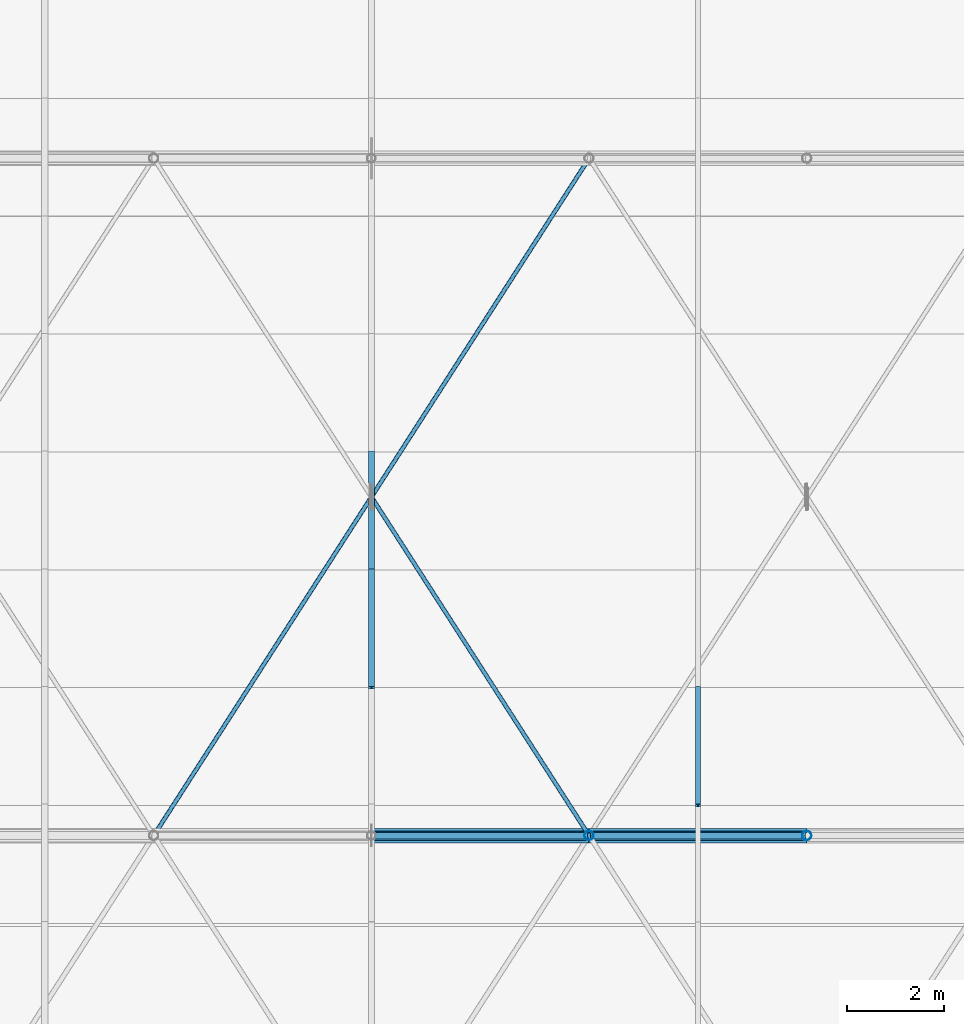
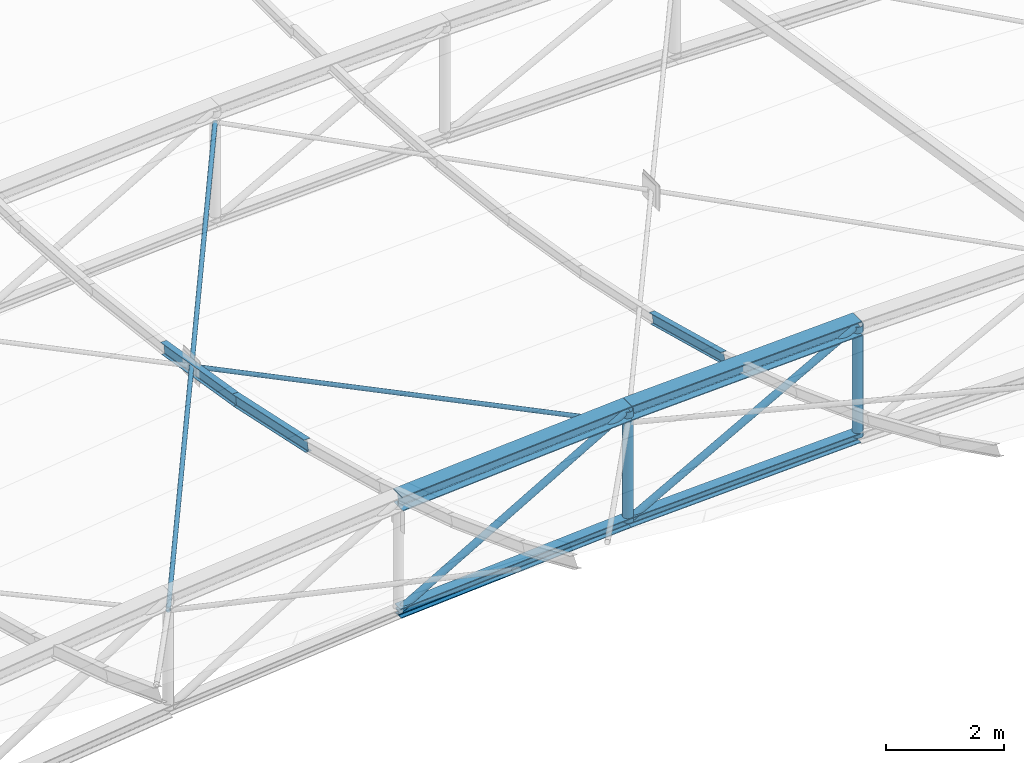
# One storey, part 144 of 262: 13 members.
"""IFC4 building model written with IfcOpenShell, lengths in metres."""

import ifcopenshell
import ifcopenshell.guid

model = None  # the IFC model being written
_history = None  # IfcOwnerHistory: only IFC2X3 demands one
_inside = {}  # id of a spatial element -> (the spatial element, [elements in it])
_under = {}  # id of a project, library or spatial element -> (it, [spatial elements below it])
_declared = {}  # id of a project -> (the project, [libraries it declares])
_typed = {}  # id of a type object -> (the type object, [elements of that type])
_made_of = {}  # id of a material, layer set ... -> (it, [elements and type objects made of it])


def new_model(schema):
    """Start an empty IFC model of exactly this schema.

    Asked for "IFC4X3", IfcOpenShell would pick the latest addendum, in which some entities
    have other attributes; the version numbers below select the first issue.
    IFC2X3 requires an IfcOwnerHistory on every rooted entity: one is made here for all.
    """
    global model, _history
    if schema == "IFC4X3":
        model = ifcopenshell.file(schema_version=(4, 3, 0, 0))
    else:
        model = ifcopenshell.file(schema=schema)
    _inside.clear()
    _under.clear()
    _declared.clear()
    _typed.clear()
    _made_of.clear()
    _history = None
    if model.schema == "IFC2X3":
        org = make("IfcOrganization", Name="unknown")
        user = make(
            "IfcPersonAndOrganization",
            ThePerson=make("IfcPerson", FamilyName="unknown"),
            TheOrganization=org,
        )
        app = make(
            "IfcApplication",
            ApplicationDeveloper=org,
            Version="unknown",
            ApplicationFullName="unknown",
            ApplicationIdentifier="unknown",
        )
        _history = make(
            "IfcOwnerHistory",
            OwningUser=user,
            OwningApplication=app,
            ChangeAction="ADDED",
            CreationDate=0,
        )
    return model


def make(cls, **values):
    """One entity of the class cls with the attributes given. An attribute that is None is left unset."""
    return model.create_entity(
        cls, **{name: value for name, value in values.items() if value is not None}
    )


def rooted(cls, **values):
    """An entity with a GlobalId (a new one), such as an element, a storey or a relation."""
    return make(cls, GlobalId=ifcopenshell.guid.new(), OwnerHistory=_history, **values)


def si_unit(unit_type, name, prefix=None):
    """IfcSIUnit, for example si_unit("LENGTHUNIT", "METRE", prefix="MILLI")."""
    return make("IfcSIUnit", UnitType=unit_type, Prefix=prefix, Name=name)


def derived_unit(unit_type, elements):
    """IfcDerivedUnit: a product of units, each with its exponent."""
    return make(
        "IfcDerivedUnit",
        Elements=[
            make("IfcDerivedUnitElement", Unit=unit, Exponent=power)
            for unit, power in elements
        ],
        UnitType=unit_type,
    )


def assignment(units):
    """IfcUnitAssignment: the units of a project."""
    return None if units is None else make("IfcUnitAssignment", Units=units)


def point(xyz):
    """IfcCartesianPoint."""
    return None if xyz is None else make("IfcCartesianPoint", Coordinates=xyz)


def direction(xyz):
    """IfcDirection."""
    return None if xyz is None else make("IfcDirection", DirectionRatios=xyz)


def frame(location, z_axis=None, x_axis=None):
    """IfcAxis2Placement3D, a coordinate frame: its origin and axes. An axis left out is left unset."""
    return make(
        "IfcAxis2Placement3D",
        Location=point(location),
        Axis=direction(z_axis),
        RefDirection=direction(x_axis),
    )


def frame_2d(location, x_axis=None):
    """IfcAxis2Placement2D, a coordinate frame in the plane: its origin and x axis."""
    return make(
        "IfcAxis2Placement2D", Location=point(location), RefDirection=direction(x_axis)
    )


def origin():
    """The frame at (0, 0, 0) with its axes left unset."""
    return frame((0.0, 0.0, 0.0))


def origin_2d():
    """The frame at (0, 0) in the plane with its x axis left unset."""
    return frame_2d((0.0, 0.0))


def place(relative_to, where):
    """IfcLocalPlacement: puts the frame where relative to a parent placement (None: the world)."""
    return make(
        "IfcLocalPlacement", PlacementRelTo=relative_to, RelativePlacement=where
    )


def context(
    kind, dimensions, precision=None, world=None, true_north=None, identifier=None
):
    """IfcGeometricRepresentationContext, for example the 3D "Model" context."""
    return make(
        "IfcGeometricRepresentationContext",
        ContextIdentifier=identifier,
        ContextType=kind,
        CoordinateSpaceDimension=dimensions,
        Precision=precision,
        WorldCoordinateSystem=world,
        TrueNorth=true_north,
    )


def subcontext(parent, identifier, kind, view, scale=None):
    """IfcGeometricRepresentationSubContext, for example "Body" below "Model"."""
    return make(
        "IfcGeometricRepresentationSubContext",
        ContextIdentifier=identifier,
        ContextType=kind,
        ParentContext=parent,
        TargetScale=scale,
        TargetView=view,
    )


def project(units=None, contexts=None):
    """IfcProject with its units and contexts."""
    return rooted(
        "IfcProject",
        Name="project",
        RepresentationContexts=contexts,
        UnitsInContext=assignment(units),
    )


def spatial(cls, under=None, at=None, **own):
    """A site, building, storey or space (cls), placed at a placement, below another one or the project."""
    s = rooted(cls, ObjectPlacement=at, **own)
    if under is not None:
        _under.setdefault(under.id(), (under, []))[1].append(s)
    return s


def profile(cls, at=None, kind="AREA", **sizes):
    """A parametric profile (cls). Its sizes go by their IFC names, for example OverallWidth=200.0."""
    return make(cls, ProfileType=kind, Position=at, **sizes)


def hollow_circle(**sizes):
    """IfcCircleHollowProfileDef."""
    return profile("IfcCircleHollowProfileDef", **sizes)


def i_section(**sizes):
    """IfcIShapeProfileDef."""
    return profile("IfcIShapeProfileDef", **sizes)


def extrude(swept, where, along, depth):
    """IfcExtrudedAreaSolid: the profile swept, set in the frame where, extruded along a direction by depth."""
    return make(
        "IfcExtrudedAreaSolid",
        SweptArea=swept,
        Position=where,
        ExtrudedDirection=direction(along),
        Depth=depth,
    )


def shape(context_of_items, identifier, shape_type, items):
    """IfcShapeRepresentation: the items that make up one representation, for example the "Body"."""
    return make(
        "IfcShapeRepresentation",
        ContextOfItems=context_of_items,
        RepresentationIdentifier=identifier,
        RepresentationType=shape_type,
        Items=items,
    )


def material(Name=None, Category=None):
    """IfcMaterial."""
    return make("IfcMaterial", Name=Name, Category=Category)


def material_profile(
    of_material, cross_section, Name=None, Category=None, Priority=None
):
    """IfcMaterialProfile: a cross section and its material."""
    return make(
        "IfcMaterialProfile",
        Name=Name,
        Material=of_material,
        Profile=cross_section,
        Priority=Priority,
        Category=Category,
    )


def profile_set(profiles, Name=None, composite=None):
    """IfcMaterialProfileSet."""
    return make(
        "IfcMaterialProfileSet",
        Name=Name,
        MaterialProfiles=profiles,
        CompositeProfile=composite,
    )


def made_of(thing, what):
    """Note that an element or type object is made of a material, layer set ...; save() writes the relation."""
    if what is not None:
        _made_of.setdefault(what.id(), (what, []))[1].append(thing)
    return thing


def type_object(cls, material=None, **own):
    """A type object (cls), such as IfcWallType, which elements share."""
    return made_of(rooted(cls, **own), material)


def element(
    cls,
    number,
    at=None,
    inside=None,
    cuts=None,
    type_object=None,
    material=None,
    context=None,
    identifier="Body",
    shape_type=None,
    held_by="IfcProductDefinitionShape",
    body=None,
    shapes=None,
    **own,
):
    """One element of the class cls, such as IfcWall. Its Tag is "e" and its number.

    at: its placement. inside: the storey or other place that contains it. cuts: it is an
    opening in that element (IfcRelVoidsElement). A single representation is given by context,
    identifier, shape_type and body (its items); several are given by shapes. held_by: the class
    of the entity that holds the representations. save() writes the other relations.
    """
    e = rooted(cls, Tag="e%d" % number, ObjectPlacement=at, **own)
    if body is not None:
        shapes = [shape(context, identifier, shape_type, body)]
    if shapes is not None:
        e.Representation = make(held_by, Representations=shapes)
    if inside is not None:
        _inside.setdefault(inside.id(), (inside, []))[1].append(e)
    if cuts is not None:
        rooted(
            "IfcRelVoidsElement", RelatingBuildingElement=cuts, RelatedOpeningElement=e
        )
    if type_object is not None:
        _typed.setdefault(type_object.id(), (type_object, []))[1].append(e)
    return made_of(e, material)


def aggregate(whole, parts):
    """IfcRelAggregates: a whole, such as a stair, and the parts it consists of."""
    return rooted("IfcRelAggregates", RelatingObject=whole, RelatedObjects=parts)


def save(model, path):
    """Write the relations noted so far, then the file.

    IfcRelAggregates (storeys below a building ...), IfcRelContainedInSpatialStructure (elements
    in a storey), IfcRelDefinesByType, IfcRelAssociatesMaterial and IfcRelDeclares: one each for
    every whole, place, type object, material and project.
    """
    for whole, parts in _under.values():
        aggregate(whole, parts)
    for where, things in _inside.values():
        rooted(
            "IfcRelContainedInSpatialStructure",
            RelatedElements=things,
            RelatingStructure=where,
        )
    for kind, things in _typed.values():
        rooted("IfcRelDefinesByType", RelatedObjects=things, RelatingType=kind)
    for what, things in _made_of.values():
        rooted("IfcRelAssociatesMaterial", RelatedObjects=things, RelatingMaterial=what)
    for by, libraries in _declared.values():
        rooted("IfcRelDeclares", RelatingContext=by, RelatedDefinitions=libraries)
    model.write(path)


model = new_model("IFC4")

# Units and contexts
model_context = context("Model", 3, precision=1e-05, world=origin(), true_north=direction((0.0, 1.0)))
body_context = subcontext(model_context, "Body", "Model", "MODEL_VIEW")
ifc_project = project(units=[si_unit("LENGTHUNIT", "METRE"), si_unit("AREAUNIT", "SQUARE_METRE"), si_unit("VOLUMEUNIT", "CUBIC_METRE"), si_unit("PLANEANGLEUNIT", "RADIAN"), si_unit("MASSUNIT", "GRAM", prefix="KILO"), derived_unit("THERMALTRANSMITTANCEUNIT", [(si_unit("POWERUNIT", "WATT"), 1), (si_unit("LENGTHUNIT", "METRE"), -2), (si_unit("THERMODYNAMICTEMPERATUREUNIT", "KELVIN"), -1)])], contexts=[model_context])

# Site, building, storey
site_placement = place(None, origin())
site = spatial("IfcSite", under=ifc_project, at=site_placement, CompositionType="ELEMENT")
building_placement = place(site_placement, origin())
building = spatial("IfcBuilding", under=site, at=building_placement, Name="Almenara Railside Exhibition Hall", CompositionType="ELEMENT")
storey_placement = place(building_placement, frame((0.0, 0.0, 21.699951171875)))
storey = spatial("IfcBuildingStorey", under=building, at=storey_placement, Name="RF", CompositionType="ELEMENT", Elevation=21.699951171875)

# Members
ifc_material = material(Name="Structural steel S355JR", Category="steel")
ifc_material_profile_1 = material_profile(ifc_material, i_section(OverallWidth=0.300048828125, OverallDepth=0.300048828125, WebThickness=0.010986328125, FlangeThickness=0.01904296875, FilletRadius=0.027099609375, at=origin_2d()), Name="HEB 300")
ifc_profile_set_1 = profile_set([ifc_material_profile_1], Name="Structural steel S355JR")
member_type_1 = type_object("IfcMemberType", Name="Arched Inner Top Chord HEB 300 S355JR", PredefinedType="CHORD", material=ifc_profile_set_1)
member_1_placement = place(storey_placement, frame((151.5, 48.0, -3.366455078125), z_axis=(0.997701025897, 0.0, 0.067769188608), x_axis=(0.0, 1.0, 0.0)))
element("IfcMember", 1, at=member_1_placement, inside=storey, type_object=member_type_1, Name="MEM-TC-V2-01-03", PredefinedType="CHORD", context=body_context, shape_type="SweptSolid", body=[
    extrude(i_section(OverallWidth=0.300048828125, OverallDepth=0.300048828125, WebThickness=0.010986328125, FlangeThickness=0.01904296875, FilletRadius=0.027099609375, at=origin_2d()), origin(), (0.0, 0.0, 1.0), 4.51025390625),
])
member_2_placement = place(storey_placement, frame((156.0, 48.0, -3.060791015625), z_axis=(0.99917098071, 0.0, 0.04071057978), x_axis=(0.0, 1.0, 0.0)))
element("IfcMember", 2, at=member_2_placement, inside=storey, type_object=member_type_1, Name="MEM-TC-V2-01-04", PredefinedType="CHORD", context=body_context, shape_type="SweptSolid", body=[
    extrude(i_section(OverallWidth=0.300048828125, OverallDepth=0.300048828125, WebThickness=0.010986328125, FlangeThickness=0.01904296875, FilletRadius=0.027099609375, at=origin_2d()), origin(), (0.0, 0.0, 1.0), 4.503662109375),
])
ifc_material_profile_2 = material_profile(ifc_material, i_section(OverallWidth=0.199951171875, OverallDepth=0.199951171875, WebThickness=0.009033203125, FlangeThickness=0.014892578125, FilletRadius=0.01806640625, at=origin_2d()), Name="HEB 200")
ifc_profile_set_2 = profile_set([ifc_material_profile_2], Name="Structural steel S355JR")
member_type_2 = type_object("IfcMemberType", Name="Canopy Collar Chord HEB 200 S355JR", PredefinedType="CHORD", material=ifc_profile_set_2)
member_3_placement = place(storey_placement, frame((151.5, 48.0, -5.66650390625), z_axis=(0.997701025897, 0.0, 0.067769188608), x_axis=(0.0, 1.0, 0.0)))
element("IfcMember", 3, at=member_3_placement, inside=storey, type_object=member_type_2, Name="MEM-BC-V2-01-03", PredefinedType="CHORD", context=body_context, shape_type="SweptSolid", body=[
    extrude(i_section(OverallWidth=0.199951171875, OverallDepth=0.199951171875, WebThickness=0.009033203125, FlangeThickness=0.014892578125, FilletRadius=0.01806640625, at=origin_2d()), origin(), (0.0, 0.0, 1.0), 4.51025390625),
])
member_4_placement = place(storey_placement, frame((156.0, 48.0, -5.36083984375), z_axis=(0.99917098071, 0.0, 0.04071057978), x_axis=(0.0, 1.0, 0.0)))
element("IfcMember", 4, at=member_4_placement, inside=storey, type_object=member_type_2, Name="MEM-BC-V2-01-04", PredefinedType="CHORD", context=body_context, shape_type="SweptSolid", body=[
    extrude(i_section(OverallWidth=0.199951171875, OverallDepth=0.199951171875, WebThickness=0.009033203125, FlangeThickness=0.014892578125, FilletRadius=0.01806640625, at=origin_2d()), origin(), (0.0, 0.0, 1.0), 4.503662109375),
])
ifc_material_profile_3 = material_profile(ifc_material, hollow_circle(Radius=0.04443359375, WallThickness=0.00390625, at=origin_2d()), Name="CHS 88.9x4")
ifc_profile_set_3 = profile_set([ifc_material_profile_3], Name="Structural steel S355JR")
member_type_3 = type_object("IfcMemberType", Name="Canopy Tie Brace CHS 88.9x4 S355JR", PredefinedType="BRACE", material=ifc_profile_set_3)
member_5_placement = place(storey_placement, frame((147.0, 48.0, -4.07421875), z_axis=(0.538471072351, 0.837621668102, -0.091863188314), x_axis=(-0.841178475377, 0.540757591313, 0.0)))
element("IfcMember", 5, at=member_5_placement, inside=storey, type_object=member_type_3, Name="MEM-WB-V2-WB-CHS89-01-02-C", PredefinedType="BRACE", context=body_context, shape_type="SweptSolid", body=[
    extrude(hollow_circle(Radius=0.04443359375, WallThickness=0.00390625, at=origin_2d()), origin(), (0.0, 0.0, 1.0), 16.714111328125),
])
member_6_placement = place(storey_placement, frame((156.0, 48.0, -3.3408203125), z_axis=(-0.532157901473, 0.827826991989, -0.177511800268), x_axis=(-0.841186144987, -0.540745660623, 0.0)))
element("IfcMember", 6, at=member_6_placement, inside=storey, type_object=member_type_3, Name="MEM-WB-V2-WB-CHS89-01-02-S1", PredefinedType="BRACE", context=body_context, shape_type="SweptSolid", body=[
    extrude(hollow_circle(Radius=0.04443359375, WallThickness=0.00390625, at=origin_2d()), origin(), (0.0, 0.0, 1.0), 8.407470703125),
])
ifc_material_profile_4 = material_profile(ifc_material, i_section(OverallWidth=0.110107421875, OverallDepth=0.219970703125, WebThickness=0.005859375, FlangeThickness=0.00927734375, FilletRadius=0.011962890625, at=origin_2d()), Name="IPE 220")
ifc_profile_set_4 = profile_set([ifc_material_profile_4], Name="Structural steel S355JR")
member_type_4 = type_object("IfcMemberType", Name="Heavy Hall Roof Purlin IPE 220 S355JR", PredefinedType="PURLIN", material=ifc_profile_set_4)
member_7_placement = place(storey_placement, frame((158.25, 48.6201171875, -3.15771484375), z_axis=(0.0, 0.966201190487, -0.257789176462), x_axis=(-1.0, 0.0, 0.0)))
element("IfcMember", 7, at=member_7_placement, inside=storey, type_object=member_type_4, Name="MEM-PR-V2-PR-IPE220-03-06", PredefinedType="PURLIN", context=body_context, shape_type="SweptSolid", body=[
    extrude(i_section(OverallWidth=0.110107421875, OverallDepth=0.219970703125, WebThickness=0.005859375, FlangeThickness=0.00927734375, FilletRadius=0.011962890625, at=origin_2d()), origin(), (0.0, 0.0, 1.0), 2.52197265625),
])
ifc_material_profile_5 = material_profile(ifc_material, i_section(OverallWidth=0.1201171875, OverallDepth=0.239990234375, WebThickness=0.006103515625, FlangeThickness=0.009765625, FilletRadius=0.014892578125, at=origin_2d()), Name="IPE 240")
ifc_profile_set_5 = profile_set([ifc_material_profile_5], Name="Structural steel S355JR")
member_type_5 = type_object("IfcMemberType", Name="Scroll Roof Purlin IPE 240 S355JR", PredefinedType="PURLIN", material=ifc_profile_set_5)
member_8_placement = place(storey_placement, frame((151.5, 51.056884765625, -4.091796875), z_axis=(0.0, 0.977496103583, -0.210953472309), x_axis=(-1.0, 0.0, 0.0)))
element("IfcMember", 8, at=member_8_placement, inside=storey, type_object=member_type_5, Name="MEM-PR-V2-PR-IPE240-02-07", PredefinedType="PURLIN", context=body_context, shape_type="SweptSolid", body=[
    extrude(i_section(OverallWidth=0.1201171875, OverallDepth=0.239990234375, WebThickness=0.006103515625, FlangeThickness=0.009765625, FilletRadius=0.014892578125, at=origin_2d()), origin(), (0.0, 0.0, 1.0), 2.492919921875),
])
member_9_placement = place(storey_placement, frame((151.5, 53.49365234375, -4.61474609375), z_axis=(0.0, 0.986449960692, -0.164062412058), x_axis=(-1.0, 0.0, 0.0)))
element("IfcMember", 9, at=member_9_placement, inside=storey, type_object=member_type_5, Name="MEM-PR-V2-PR-IPE240-02-08", PredefinedType="PURLIN", context=body_context, shape_type="SweptSolid", body=[
    extrude(i_section(OverallWidth=0.1201171875, OverallDepth=0.239990234375, WebThickness=0.006103515625, FlangeThickness=0.009765625, FilletRadius=0.014892578125, at=origin_2d()), origin(), (0.0, 0.0, 1.0), 2.47021484375),
])
ifc_material_profile_6 = material_profile(ifc_material, hollow_circle(Radius=0.06982421875, WallThickness=0.0048828125, at=origin_2d()), Name="CHS 139.7x5")
ifc_profile_set_6 = profile_set([ifc_material_profile_6], Name="Structural steel S355JR")
member_type_6 = type_object("IfcMemberType", Name="Truss Inner Diagonal CHS 139.7x5 S355JR", PredefinedType="BRACE", material=ifc_profile_set_6)
member_10_placement = place(storey_placement, frame((151.5, 48.0, -5.66650390625), z_axis=(0.865388781224, 0.0, 0.501101045031), x_axis=(0.0, 1.0, 0.0)))
element("IfcMember", 10, at=member_10_placement, inside=storey, type_object=member_type_6, Name="MEM-TD-V2-01-03", PredefinedType="BRACE", context=body_context, shape_type="SweptSolid", body=[
    extrude(hollow_circle(Radius=0.06982421875, WallThickness=0.0048828125, at=origin_2d()), origin(), (0.0, 0.0, 1.0), 5.199951171875),
])
member_11_placement = place(storey_placement, frame((156.0, 48.0, -5.36083984375), z_axis=(0.875525025835, 0.0, 0.483172773589), x_axis=(0.0, 1.0, 0.0)))
element("IfcMember", 11, at=member_11_placement, inside=storey, type_object=member_type_6, Name="MEM-TD-V2-01-04", PredefinedType="BRACE", context=body_context, shape_type="SweptSolid", body=[
    extrude(hollow_circle(Radius=0.06982421875, WallThickness=0.0048828125, at=origin_2d()), origin(), (0.0, 0.0, 1.0), 5.139892578125),
])
ifc_material_profile_7 = material_profile(ifc_material, hollow_circle(Radius=0.096923828125, WallThickness=0.00634765625, at=origin_2d()), Name="CHS 193.7x6.3")
ifc_profile_set_7 = profile_set([ifc_material_profile_7], Name="Structural steel S355JR")
member_type_7 = type_object("IfcMemberType", Name="Truss Standard Vertical Strut CHS 193.7x6.3 S355JR", PredefinedType="BRACE", material=ifc_profile_set_7)
for number, where, z_axis, x_axis, name in (
    (12, (156.0, 48.0, -5.36083984375), (0.0, 0.0, 1.0), (1.0, 0.0, 0.0), "MEM-TV-V2-01-04"),
    (13, (160.5, 48.0, -5.177490234375), (0.0, 0.0, 1.0), (1.0, 0.0, 0.0), "MEM-TV-V2-01-05"),
):
    element("IfcMember", number, at=place(storey_placement, frame(where, z_axis=z_axis, x_axis=x_axis)), inside=storey, type_object=member_type_7, Name=name, PredefinedType="BRACE", context=body_context, shape_type="SweptSolid", body=[
        extrude(hollow_circle(Radius=0.096923828125, WallThickness=0.00634765625, at=origin_2d()), origin(), (0.0, 0.0, 1.0), 2.300048828125),
    ])

save(model, "model.ifc")
